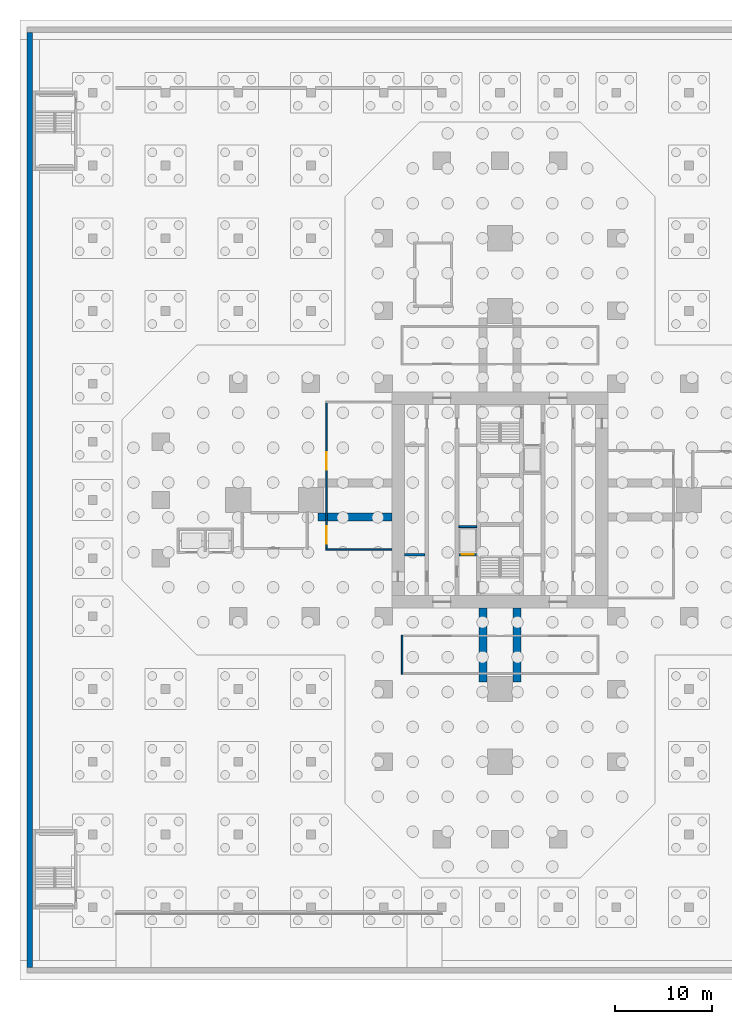
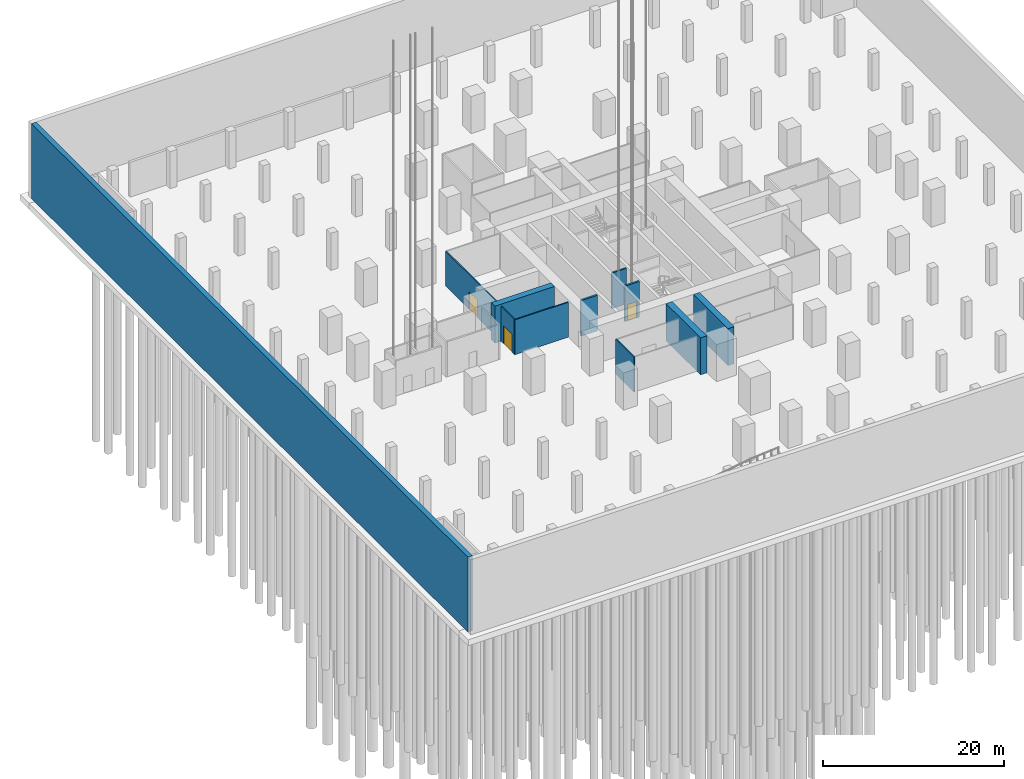
# One storey, part 8 of 31: 10 walls, 3 doors, 3 openings.
"""IFC4 building model written with IfcOpenShell, lengths in metres."""

import ifcopenshell
import ifcopenshell.guid

model = None  # the IFC model being written
_history = None  # IfcOwnerHistory: only IFC2X3 demands one
_inside = {}  # id of a spatial element -> (the spatial element, [elements in it])
_under = {}  # id of a project, library or spatial element -> (it, [spatial elements below it])
_declared = {}  # id of a project -> (the project, [libraries it declares])
_typed = {}  # id of a type object -> (the type object, [elements of that type])
_made_of = {}  # id of a material, layer set ... -> (it, [elements and type objects made of it])


def new_model(schema):
    """Start an empty IFC model of exactly this schema.

    Asked for "IFC4X3", IfcOpenShell would pick the latest addendum, in which some entities
    have other attributes; the version numbers below select the first issue.
    IFC2X3 requires an IfcOwnerHistory on every rooted entity: one is made here for all.
    """
    global model, _history
    if schema == "IFC4X3":
        model = ifcopenshell.file(schema_version=(4, 3, 0, 0))
    else:
        model = ifcopenshell.file(schema=schema)
    _inside.clear()
    _under.clear()
    _declared.clear()
    _typed.clear()
    _made_of.clear()
    _history = None
    if model.schema == "IFC2X3":
        org = make("IfcOrganization", Name="unknown")
        user = make(
            "IfcPersonAndOrganization",
            ThePerson=make("IfcPerson", FamilyName="unknown"),
            TheOrganization=org,
        )
        app = make(
            "IfcApplication",
            ApplicationDeveloper=org,
            Version="unknown",
            ApplicationFullName="unknown",
            ApplicationIdentifier="unknown",
        )
        _history = make(
            "IfcOwnerHistory",
            OwningUser=user,
            OwningApplication=app,
            ChangeAction="ADDED",
            CreationDate=0,
        )
    return model


def make(cls, **values):
    """One entity of the class cls with the attributes given. An attribute that is None is left unset."""
    return model.create_entity(
        cls, **{name: value for name, value in values.items() if value is not None}
    )


def rooted(cls, **values):
    """An entity with a GlobalId (a new one), such as an element, a storey or a relation."""
    return make(cls, GlobalId=ifcopenshell.guid.new(), OwnerHistory=_history, **values)


def si_unit(unit_type, name, prefix=None):
    """IfcSIUnit, for example si_unit("LENGTHUNIT", "METRE", prefix="MILLI")."""
    return make("IfcSIUnit", UnitType=unit_type, Prefix=prefix, Name=name)


def assignment(units):
    """IfcUnitAssignment: the units of a project."""
    return None if units is None else make("IfcUnitAssignment", Units=units)


def point(xyz):
    """IfcCartesianPoint."""
    return None if xyz is None else make("IfcCartesianPoint", Coordinates=xyz)


def direction(xyz):
    """IfcDirection."""
    return None if xyz is None else make("IfcDirection", DirectionRatios=xyz)


def frame(location, z_axis=None, x_axis=None):
    """IfcAxis2Placement3D, a coordinate frame: its origin and axes. An axis left out is left unset."""
    return make(
        "IfcAxis2Placement3D",
        Location=point(location),
        Axis=direction(z_axis),
        RefDirection=direction(x_axis),
    )


def frame_2d(location, x_axis=None):
    """IfcAxis2Placement2D, a coordinate frame in the plane: its origin and x axis."""
    return make(
        "IfcAxis2Placement2D", Location=point(location), RefDirection=direction(x_axis)
    )


def origin():
    """The frame at (0, 0, 0) with its axes left unset."""
    return frame((0.0, 0.0, 0.0))


def place(relative_to, where):
    """IfcLocalPlacement: puts the frame where relative to a parent placement (None: the world)."""
    return make(
        "IfcLocalPlacement", PlacementRelTo=relative_to, RelativePlacement=where
    )


def context(
    kind, dimensions, precision=None, world=None, true_north=None, identifier=None
):
    """IfcGeometricRepresentationContext, for example the 3D "Model" context."""
    return make(
        "IfcGeometricRepresentationContext",
        ContextIdentifier=identifier,
        ContextType=kind,
        CoordinateSpaceDimension=dimensions,
        Precision=precision,
        WorldCoordinateSystem=world,
        TrueNorth=true_north,
    )


def subcontext(parent, identifier, kind, view, scale=None):
    """IfcGeometricRepresentationSubContext, for example "Body" below "Model"."""
    return make(
        "IfcGeometricRepresentationSubContext",
        ContextIdentifier=identifier,
        ContextType=kind,
        ParentContext=parent,
        TargetScale=scale,
        TargetView=view,
    )


def project(units=None, contexts=None):
    """IfcProject with its units and contexts."""
    return rooted(
        "IfcProject",
        Name="project",
        RepresentationContexts=contexts,
        UnitsInContext=assignment(units),
    )


def spatial(cls, under=None, at=None, **own):
    """A site, building, storey or space (cls), placed at a placement, below another one or the project."""
    s = rooted(cls, ObjectPlacement=at, **own)
    if under is not None:
        _under.setdefault(under.id(), (under, []))[1].append(s)
    return s


def profile(cls, at=None, kind="AREA", **sizes):
    """A parametric profile (cls). Its sizes go by their IFC names, for example OverallWidth=200.0."""
    return make(cls, ProfileType=kind, Position=at, **sizes)


def rectangle(**sizes):
    """IfcRectangleProfileDef."""
    return profile("IfcRectangleProfileDef", **sizes)


def extrude(swept, where, along, depth):
    """IfcExtrudedAreaSolid: the profile swept, set in the frame where, extruded along a direction by depth."""
    return make(
        "IfcExtrudedAreaSolid",
        SweptArea=swept,
        Position=where,
        ExtrudedDirection=direction(along),
        Depth=depth,
    )


def shape(context_of_items, identifier, shape_type, items):
    """IfcShapeRepresentation: the items that make up one representation, for example the "Body"."""
    return make(
        "IfcShapeRepresentation",
        ContextOfItems=context_of_items,
        RepresentationIdentifier=identifier,
        RepresentationType=shape_type,
        Items=items,
    )


def material(Name=None, Category=None):
    """IfcMaterial."""
    return make("IfcMaterial", Name=Name, Category=Category)


def layer(
    of_material, thickness, ventilated=None, Name=None, Category=None, Priority=None
):
    """IfcMaterialLayer: one layer of a wall or slab, of a material (None: an air gap)."""
    return make(
        "IfcMaterialLayer",
        Material=of_material,
        LayerThickness=thickness,
        IsVentilated=ventilated,
        Name=Name,
        Category=Category,
        Priority=Priority,
    )


def layer_set(layers, Name=None):
    """IfcMaterialLayerSet."""
    return make("IfcMaterialLayerSet", MaterialLayers=layers, LayerSetName=Name)


def made_of(thing, what):
    """Note that an element or type object is made of a material, layer set ...; save() writes the relation."""
    if what is not None:
        _made_of.setdefault(what.id(), (what, []))[1].append(thing)
    return thing


def type_object(cls, material=None, **own):
    """A type object (cls), such as IfcWallType, which elements share."""
    return made_of(rooted(cls, **own), material)


def element(
    cls,
    number,
    at=None,
    inside=None,
    cuts=None,
    type_object=None,
    material=None,
    context=None,
    identifier="Body",
    shape_type=None,
    held_by="IfcProductDefinitionShape",
    body=None,
    shapes=None,
    **own,
):
    """One element of the class cls, such as IfcWall. Its Tag is "e" and its number.

    at: its placement. inside: the storey or other place that contains it. cuts: it is an
    opening in that element (IfcRelVoidsElement). A single representation is given by context,
    identifier, shape_type and body (its items); several are given by shapes. held_by: the class
    of the entity that holds the representations. save() writes the other relations.
    """
    e = rooted(cls, Tag="e%d" % number, ObjectPlacement=at, **own)
    if body is not None:
        shapes = [shape(context, identifier, shape_type, body)]
    if shapes is not None:
        e.Representation = make(held_by, Representations=shapes)
    if inside is not None:
        _inside.setdefault(inside.id(), (inside, []))[1].append(e)
    if cuts is not None:
        rooted(
            "IfcRelVoidsElement", RelatingBuildingElement=cuts, RelatedOpeningElement=e
        )
    if type_object is not None:
        _typed.setdefault(type_object.id(), (type_object, []))[1].append(e)
    return made_of(e, material)


def fill(opening, filler):
    """IfcRelFillsElement: the door or window that sits in an opening."""
    return rooted(
        "IfcRelFillsElement",
        RelatingOpeningElement=opening,
        RelatedBuildingElement=filler,
    )


def aggregate(whole, parts):
    """IfcRelAggregates: a whole, such as a stair, and the parts it consists of."""
    return rooted("IfcRelAggregates", RelatingObject=whole, RelatedObjects=parts)


def save(model, path):
    """Write the relations noted so far, then the file.

    IfcRelAggregates (storeys below a building ...), IfcRelContainedInSpatialStructure (elements
    in a storey), IfcRelDefinesByType, IfcRelAssociatesMaterial and IfcRelDeclares: one each for
    every whole, place, type object, material and project.
    """
    for whole, parts in _under.values():
        aggregate(whole, parts)
    for where, things in _inside.values():
        rooted(
            "IfcRelContainedInSpatialStructure",
            RelatedElements=things,
            RelatingStructure=where,
        )
    for kind, things in _typed.values():
        rooted("IfcRelDefinesByType", RelatedObjects=things, RelatingType=kind)
    for what, things in _made_of.values():
        rooted("IfcRelAssociatesMaterial", RelatedObjects=things, RelatingMaterial=what)
    for by, libraries in _declared.values():
        rooted("IfcRelDeclares", RelatingContext=by, RelatedDefinitions=libraries)
    model.write(path)


model = new_model("IFC4")

# Units and contexts
model_context = context("Model", 3, precision=1e-05, world=origin(), true_north=direction((0.0, 1.0)))
body_context = subcontext(model_context, "Body", "Model", "MODEL_VIEW")
ifc_project = project(units=[si_unit("LENGTHUNIT", "METRE"), si_unit("AREAUNIT", "SQUARE_METRE"), si_unit("VOLUMEUNIT", "CUBIC_METRE"), si_unit("PLANEANGLEUNIT", "RADIAN"), si_unit("MASSUNIT", "GRAM", prefix="KILO")], contexts=[model_context])

# Site, building, storey
site_placement = place(None, origin())
site = spatial("IfcSite", under=ifc_project, at=site_placement, CompositionType="ELEMENT")
building_placement = place(site_placement, origin())
building = spatial("IfcBuilding", under=site, at=building_placement, Name="Mizan Broadcast Tower", CompositionType="ELEMENT")
storey_placement = place(building_placement, frame((0.0, 0.0, -10.0)))
storey = spatial("IfcBuildingStorey", under=building, at=storey_placement, Name="B2", CompositionType="ELEMENT", Elevation=-10.0)

# Walls
ifc_material_1 = material(Name="Concrete blockwork", Category="masonry")
ifc_layer_1 = layer(ifc_material_1, 0.199951171875)
ifc_layer_set_1 = layer_set([ifc_layer_1], Name="Concrete blockwork")
wall_type_1 = type_object("IfcWallType", Name="LIFT SHAFT WALL 200", PredefinedType="SOLIDWALL", material=ifc_layer_set_1)
wall_1_placement = place(storey_placement, frame((-4.25, -2.75, 0.0), z_axis=(0.0, 0.0, 1.0), x_axis=(1.0, 0.0, 0.0)))
element("IfcWall", 1, at=wall_1_placement, inside=storey, type_object=wall_type_1, Name="Lift shaft wall CORE/SW2-1", PredefinedType="SOLIDWALL", context=body_context, shape_type="SweptSolid", body=[
    extrude(rectangle(XDim=1.85009765625, YDim=0.199951171875, at=frame_2d((0.925048828125, 0.0))), origin(), (0.0, 0.0, 1.0), 4.800048828125),
])
ifc_material_2 = material(Name="Concrete blockwork", Category="masonry")
ifc_layer_2 = layer(ifc_material_2, 0.25)
ifc_layer_set_2 = layer_set([ifc_layer_2], Name="Concrete blockwork")
wall_type_2 = type_object("IfcWallType", Name="LOBBY ENCLOSURE WALL 250", PredefinedType="SOLIDWALL", material=ifc_layer_set_2)
wall_2_placement = place(storey_placement, frame((-9.85009765625, -5.625, 0.0), z_axis=(0.0, 0.0, 1.0), x_axis=(1.0, 0.0, 0.0)))
element("IfcWall", 2, at=wall_2_placement, inside=storey, type_object=wall_type_2, Name="Lobby enclosure wall CORE/BW1S", PredefinedType="SOLIDWALL", context=body_context, shape_type="SweptSolid", body=[
    extrude(rectangle(XDim=2.10009765625, YDim=0.25, at=frame_2d((1.050048828125, 0.0))), origin(), (0.0, 0.0, 1.0), 4.800048828125),
])

# Wall, opening, door
wall_3_placement = place(storey_placement, frame((-4.25, -5.625, 0.0), z_axis=(0.0, 0.0, 1.0), x_axis=(1.0, 0.0, 0.0)))
wall_3 = element("IfcWall", 3, at=wall_3_placement, inside=storey, type_object=wall_type_2, Name="Lobby enclosure wall CORE/BW2S", PredefinedType="SOLIDWALL", context=body_context, shape_type="SweptSolid", body=[
    extrude(rectangle(XDim=1.85009765625, YDim=0.25, at=frame_2d((0.925048828125, 0.0))), origin(), (0.0, 0.0, 1.0), 4.800048828125),
])
opening_1_placement = place(wall_3_placement, frame((0.324951171875, 0.0, 0.0)))
opening_1 = element("IfcOpeningElement", 4, at=opening_1_placement, cuts=wall_3, Name="Opening LDF", PredefinedType="OPENING", context=body_context, shape_type="SweptSolid", body=[
    extrude(rectangle(XDim=1.199951171875, YDim=2.199951171875, at=frame_2d((0.60009765625, 1.10009765625))), frame((0.0, 0.135009765625, 0.0), z_axis=(0.0, -1.0, 0.0), x_axis=(1.0, 0.0, 0.0)), (0.0, 0.0, 1.0), 0.27001953125),
])
ifc_material_3 = material(Name="Steel door leaf in steel frame", Category="steel")
door_type_1 = type_object("IfcDoorType", Name="FIREFIGHTING LIFT LANDING DOOR 1200", OperationType="SLIDING_TO_LEFT", PredefinedType="DOOR", material=ifc_material_3)
door_1_placement = place(opening_1_placement, origin())
door_1 = element("IfcDoor", 5, at=door_1_placement, inside=storey, type_object=door_type_1, Name="Landing door FF1", OperationType="SLIDING_TO_LEFT", OverallHeight=2.199951171875, OverallWidth=1.199951171875, PredefinedType="DOOR", context=body_context, shape_type="SweptSolid", body=[
    extrude(rectangle(XDim=1.199951171875, YDim=2.199951171875, at=frame_2d((0.60009765625, 1.10009765625))), frame((0.0, 0.02490234375, 0.0), z_axis=(0.0, -1.0, 0.0), x_axis=(1.0, 0.0, 0.0)), (0.0, 0.0, 1.0), 0.050048828125),
])
fill(opening_1, door_1)

# Wall
ifc_material_4 = material(Name="Concrete blockwork", Category="masonry")
ifc_layer_3 = layer(ifc_material_4, 0.14990234375)
ifc_layer_set_3 = layer_set([ifc_layer_3], Name="Concrete blockwork")
wall_type_3 = type_object("IfcWallType", Name="PLANT ROOM ENCLOSURE WALL 150", PredefinedType="SOLIDWALL", material=ifc_layer_set_3)
wall_4_placement = place(storey_placement, frame((-11.14990234375, -5.10009765625, 0.0), z_axis=(0.0, 0.0, 1.0), x_axis=(-1.0, 0.0, 0.0)))
element("IfcWall", 6, at=wall_4_placement, inside=storey, type_object=wall_type_3, Name="Plant room wall PT/WN", PredefinedType="SOLIDWALL", context=body_context, shape_type="SweptSolid", body=[
    extrude(rectangle(XDim=6.8251953125, YDim=0.14990234375, at=frame_2d((3.41259765625, 0.0))), origin(), (0.0, 0.0, 1.0), 4.699951171875),
])

# Wall, openings, doors
wall_5_placement = place(storey_placement, frame((-17.89990234375, 10.175048828125, 0.0), z_axis=(0.0, 0.0, 1.0), x_axis=(0.0, -1.0, 0.0)))
wall_5 = element("IfcWall", 7, at=wall_5_placement, inside=storey, type_object=wall_type_3, Name="Plant room wall PT/WX", PredefinedType="SOLIDWALL", context=body_context, shape_type="SweptSolid", body=[
    extrude(rectangle(XDim=15.35009765625, YDim=0.14990234375, at=frame_2d((7.675048828125, 0.0))), origin(), (0.0, 0.0, 1.0), 4.699951171875),
])
opening_2_placement = place(wall_5_placement, frame((5.27490234375, 0.0, 0.0)))
opening_2 = element("IfcOpeningElement", 8, at=opening_2_placement, cuts=wall_5, Name="Opening D18P", PredefinedType="OPENING", context=body_context, shape_type="SweptSolid", body=[
    extrude(rectangle(XDim=1.800048828125, YDim=2.39990234375, at=frame_2d((0.89990234375, 1.199951171875))), frame((0.0, 0.0849609375, 0.0), z_axis=(0.0, -1.0, 0.0), x_axis=(1.0, 0.0, 0.0)), (0.0, 0.0, 1.0), 0.169921875),
])
opening_3_placement = place(wall_5_placement, frame((12.875, 0.0, 0.0)))
opening_3 = element("IfcOpeningElement", 9, at=opening_3_placement, cuts=wall_5, Name="Opening D18P", PredefinedType="OPENING", context=body_context, shape_type="SweptSolid", body=[
    extrude(rectangle(XDim=1.800048828125, YDim=2.39990234375, at=frame_2d((0.89990234375, 1.199951171875))), frame((0.0, 0.0849609375, 0.0), z_axis=(0.0, -1.0, 0.0), x_axis=(1.0, 0.0, 0.0)), (0.0, 0.0, 1.0), 0.169921875),
])
ifc_material_5 = material(Name="Steel door leaf in steel frame", Category="steel")
door_type_2 = type_object("IfcDoorType", Name="PLANT ROOM DOUBLE DOOR 1800x2400 FD90", OperationType="DOUBLE_DOOR_DOUBLE_SWING", PredefinedType="DOOR", material=ifc_material_5)
door_2_placement = place(opening_2_placement, origin())
door_2 = element("IfcDoor", 10, at=door_2_placement, inside=storey, type_object=door_type_2, Name="Mechanical plant room door", OperationType="DOUBLE_DOOR_DOUBLE_SWING", OverallHeight=2.39990234375, OverallWidth=1.800048828125, PredefinedType="DOOR", context=body_context, shape_type="SweptSolid", body=[
    extrude(rectangle(XDim=1.800048828125, YDim=2.39990234375, at=frame_2d((0.89990234375, 1.199951171875))), frame((0.0, 0.02490234375, 0.0), z_axis=(0.0, -1.0, 0.0), x_axis=(1.0, 0.0, 0.0)), (0.0, 0.0, 1.0), 0.050048828125),
])
fill(opening_2, door_2)
door_3_placement = place(opening_3_placement, origin())
door_3 = element("IfcDoor", 11, at=door_3_placement, inside=storey, type_object=door_type_2, Name="Mechanical plant room door", OperationType="DOUBLE_DOOR_DOUBLE_SWING", OverallHeight=2.39990234375, OverallWidth=1.800048828125, PredefinedType="DOOR", context=body_context, shape_type="SweptSolid", body=[
    extrude(rectangle(XDim=1.800048828125, YDim=2.39990234375, at=frame_2d((0.89990234375, 1.199951171875))), frame((0.0, 0.02490234375, 0.0), z_axis=(0.0, -1.0, 0.0), x_axis=(1.0, 0.0, 0.0)), (0.0, 0.0, 1.0), 0.050048828125),
])
fill(opening_3, door_3)

# Walls
wall_6_placement = place(storey_placement, frame((-10.10009765625, -13.925048828125, 0.0), z_axis=(0.0, 0.0, 1.0), x_axis=(0.0, -1.0, 0.0)))
element("IfcWall", 12, at=wall_6_placement, inside=storey, type_object=wall_type_3, Name="Plant room wall PT/SS", PredefinedType="SOLIDWALL", context=body_context, shape_type="SweptSolid", body=[
    extrude(rectangle(XDim=4.050048828125, YDim=0.14990234375, at=frame_2d((2.02490234375, 0.0))), origin(), (0.0, 0.0, 1.0), 4.699951171875),
])
ifc_material_6 = material(Name="Concrete C70/85", Category="concrete")
ifc_layer_4 = layer(ifc_material_6, 0.60009765625)
ifc_layer_set_4 = layer_set([ifc_layer_4], Name="Concrete C70/85")
wall_type_4 = type_object("IfcWallType", Name="RETAINING WALL 600", PredefinedType="SOLIDWALL", material=ifc_layer_set_4)
wall_7_placement = place(storey_placement, frame((-48.5, 48.199951171875, -0.5), z_axis=(0.0, 0.0, 1.0), x_axis=(0.0, -1.0, 0.0)))
element("IfcWall", 13, at=wall_7_placement, inside=storey, type_object=wall_type_4, Name="Retaining wall RW1 W", PredefinedType="SOLIDWALL", context=body_context, shape_type="SweptSolid", body=[
    extrude(rectangle(XDim=96.39990234375, YDim=0.60009765625, at=frame_2d((48.199951171875, 0.0))), origin(), (0.0, 0.0, 1.0), 10.10009765625),
])
ifc_material_7 = material(Name="Concrete C70/85", Category="concrete")
ifc_layer_5 = layer(ifc_material_7, 0.800048828125)
ifc_layer_set_5 = layer_set([ifc_layer_5], Name="Concrete C70/85")
wall_type_5 = type_object("IfcWallType", Name="SPINE WALL 800", PredefinedType="SHEAR", material=ifc_layer_set_5)
for number, where, z_axis, x_axis, name in (
    (14, (-11.14990234375, -1.75, 0.0), (0.0, 0.0, 1.0), (-1.0, 0.0, 0.0), "Spine wall WL B2"),
    (15, (-1.75, -11.14990234375, 0.0), (0.0, 0.0, 1.0), (0.0, -1.0, 0.0), "Spine wall SR B2"),
    (16, (1.75, -11.14990234375, 0.0), (0.0, 0.0, 1.0), (0.0, -1.0, 0.0), "Spine wall SL B2"),
):
    element("IfcWall", number, at=place(storey_placement, frame(where, z_axis=z_axis, x_axis=x_axis)), inside=storey, type_object=wall_type_5, Name=name, PredefinedType="SHEAR", context=body_context, shape_type="SweptSolid", body=[
        extrude(rectangle(XDim=7.625, YDim=0.800048828125, at=frame_2d((3.8125, 0.0))), origin(), (0.0, 0.0, 1.0), 5.0),
    ])

save(model, "model.ifc")
